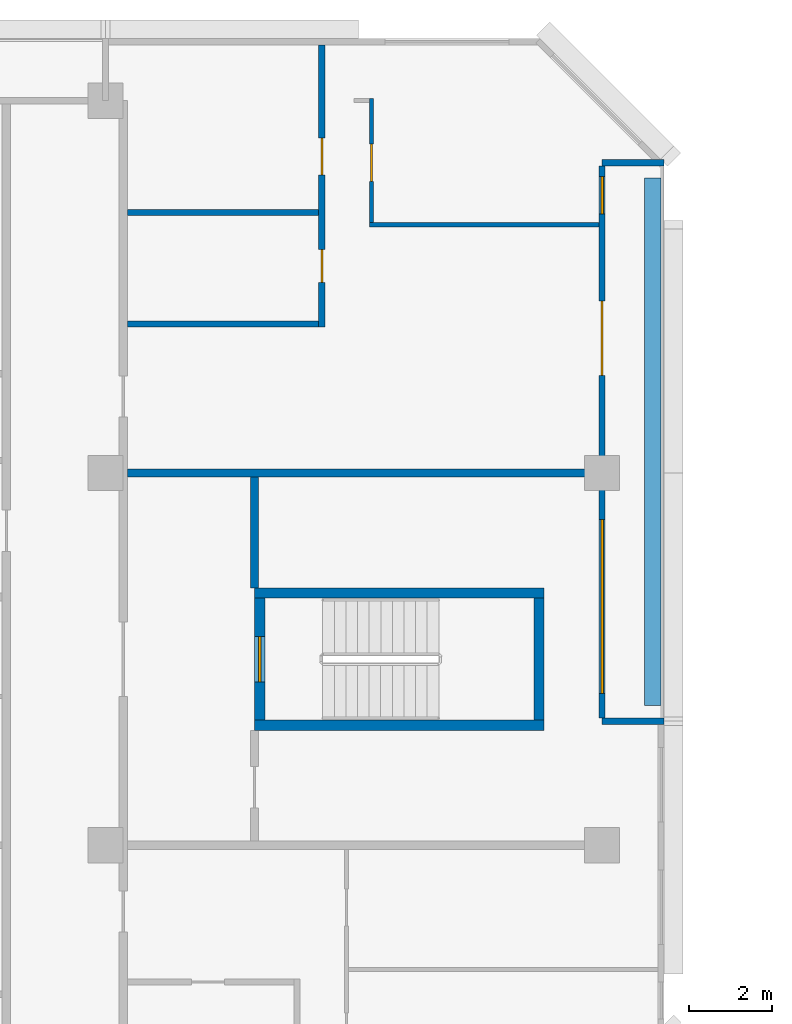
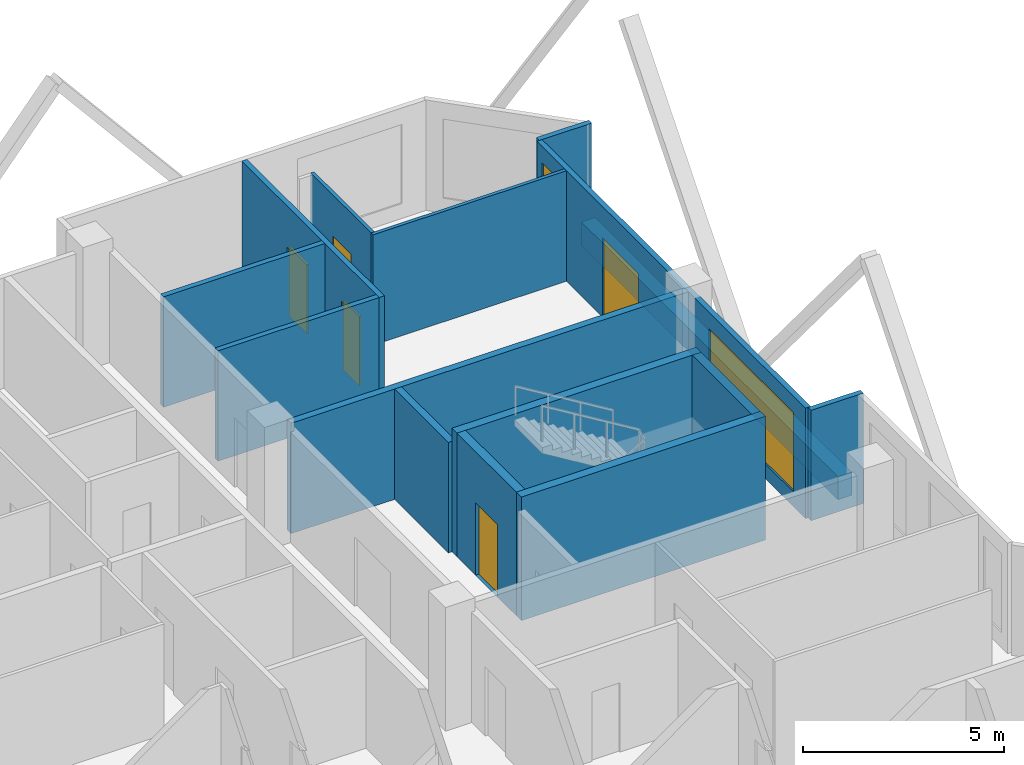
# One storey, part 11 of 16: 15 walls, 5 doors, 2 windows, 7 openings.
"""IFC4 building model written with IfcOpenShell, lengths in metres."""

from ifc_helpers import new_model, si_unit, direction, frame, frame_2d, origin, place, context, subcontext, project, spatial, rectangle, extrude, material, layer, layer_set, type_object, element, fill, save


model = new_model("IFC4")

# Units and contexts
model_context = context("Model", 3, precision=1e-05, world=origin(), true_north=direction((0.0, 1.0)))
body_context = subcontext(model_context, "Body", "Model", "MODEL_VIEW")
ifc_project = project(units=[si_unit("LENGTHUNIT", "METRE"), si_unit("AREAUNIT", "SQUARE_METRE"), si_unit("VOLUMEUNIT", "CUBIC_METRE"), si_unit("PLANEANGLEUNIT", "RADIAN"), si_unit("MASSUNIT", "GRAM", prefix="KILO")], contexts=[model_context])

# Site, building, storey
site_placement = place(None, origin())
site = spatial("IfcSite", under=ifc_project, at=site_placement, CompositionType="ELEMENT")
building_placement = place(site_placement, origin())
building = spatial("IfcBuilding", under=site, at=building_placement, Name="Chenar Terraces", CompositionType="ELEMENT")
storey_placement = place(building_placement, frame((0.0, 0.0, 219.14990234375)))
storey = spatial("IfcBuildingStorey", under=building, at=storey_placement, Name="L51", CompositionType="ELEMENT", Elevation=219.14990234375)

# Walls
ifc_material_1 = material(Name="Concrete C60/75", Category="concrete")
ifc_layer_1 = layer(ifc_material_1, 0.25)
ifc_layer_set_1 = layer_set([ifc_layer_1], Name="Concrete C60/75")
wall_type_1 = type_object("IfcWallType", Name="Core wall 250 Concrete C60/75", PredefinedType="SHEAR", material=ifc_layer_set_1)
for number, where, z_axis, x_axis, name in (
    (1, (15.60009765625, 47.89990234375, 0.0), (0.0, 0.0, 1.0), (1.0, 0.0, 0.0), "Core wall ST4_S L51"),
    (2, (15.60009765625, 51.10009765625, 0.0), (0.0, 0.0, 1.0), (1.0, 0.0, 0.0), "Core wall ST4_N L51"),
):
    element("IfcWall", number, at=place(storey_placement, frame(where, z_axis=z_axis, x_axis=x_axis)), inside=storey, type_object=wall_type_1, Name=name, PredefinedType="SHEAR", context=body_context, shape_type="SweptSolid", body=[
        extrude(rectangle(XDim=7.0, YDim=0.25, at=frame_2d((3.5, 0.0))), origin(), (0.0, 0.0, 1.0), 3.75),
    ])

# Wall, opening, door
wall_1_placement = place(storey_placement, frame((15.72509765625, 48.02490234375, 0.0), z_axis=(0.0, 0.0, 1.0), x_axis=(0.0, 1.0, 0.0)))
wall_1 = element("IfcWall", 3, at=wall_1_placement, inside=storey, type_object=wall_type_1, Name="Core wall ST4_W L51", PredefinedType="SHEAR", context=body_context, shape_type="SweptSolid", body=[
    extrude(rectangle(XDim=2.9501953125, YDim=0.25, at=frame_2d((1.47509765625, 0.0))), origin(), (0.0, 0.0, 1.0), 3.75),
])
opening_1_placement = place(wall_1_placement, frame((0.925048828125, 0.0, 0.0)))
opening_1 = element("IfcOpeningElement", 4, at=opening_1_placement, cuts=wall_1, Name="Opening DL51-C9", PredefinedType="OPENING", context=body_context, shape_type="SweptSolid", body=[
    extrude(rectangle(XDim=1.10009765625, YDim=2.199951171875, at=frame_2d((0.550048828125, 1.10009765625))), frame((0.0, 0.135009765625, 0.0), z_axis=(0.0, -1.0, 0.0), x_axis=(1.0, 0.0, 0.0)), (0.0, 0.0, 1.0), 0.27001953125),
])
ifc_material_2 = material(Name="Steel-framed fire-resisting door leaf", Category="steel")
door_type_1 = type_object("IfcDoorType", Name="Stair fire door FD60 1100 x 2200", OperationType="SINGLE_SWING_LEFT", PredefinedType="DOOR", material=ifc_material_2)
door_1_placement = place(opening_1_placement, frame((1.10009765625, 0.0, 0.0), z_axis=(0.0, 0.0, 1.0), x_axis=(-1.0, 0.0, 0.0)))
door_1 = element("IfcDoor", 5, at=door_1_placement, inside=storey, type_object=door_type_1, Name="Stair door DL51-C9", OperationType="SINGLE_SWING_RIGHT", OverallHeight=2.199951171875, OverallWidth=1.10009765625, PredefinedType="DOOR", context=body_context, shape_type="SweptSolid", body=[
    extrude(rectangle(XDim=1.10009765625, YDim=2.199951171875, at=frame_2d((0.550048828125, 1.10009765625))), frame((0.0, 0.02490234375, 0.0), z_axis=(0.0, -1.0, 0.0), x_axis=(1.0, 0.0, 0.0)), (0.0, 0.0, 1.0), 0.050048828125),
])
fill(opening_1, door_1)

# Walls
wall_2_placement = place(storey_placement, frame((22.47509765625, 48.02490234375, 0.0), z_axis=(0.0, 0.0, 1.0), x_axis=(0.0, 1.0, 0.0)))
element("IfcWall", 6, at=wall_2_placement, inside=storey, type_object=wall_type_1, Name="Core wall ST4_E L51", PredefinedType="SHEAR", context=body_context, shape_type="SweptSolid", body=[
    extrude(rectangle(XDim=2.9501953125, YDim=0.25, at=frame_2d((1.47509765625, 0.0))), origin(), (0.0, 0.0, 1.0), 3.75),
])
ifc_material_3 = material(Name="Gypsum board on steel studs with fire boards", Category="steel")
ifc_layer_2 = layer(ifc_material_3, 0.199951171875)
ifc_layer_set_2 = layer_set([ifc_layer_2], Name="Gypsum board on steel studs with fire boards")
wall_type_2 = type_object("IfcWallType", Name="Corridor wall 200", PredefinedType="PARTITIONING", material=ifc_layer_set_2)
wall_3_placement = place(storey_placement, frame((15.60009765625, 51.22509765625, 0.0), z_axis=(0.0, 0.0, 1.0), x_axis=(0.0, 1.0, 0.0)))
element("IfcWall", 7, at=wall_3_placement, inside=storey, type_object=wall_type_2, Name="Partition L51-048", PredefinedType="PARTITIONING", context=body_context, shape_type="SweptSolid", body=[
    extrude(rectangle(XDim=2.6748046875, YDim=0.199951171875, at=frame_2d((1.33740234375, 0.0))), origin(), (0.0, 0.0, 1.0), 3.35009765625),
])

# Wall, openings, windows, door
ifc_material_4 = material(Name="Aluminium framed glazing", Category="aluminium")
ifc_layer_3 = layer(ifc_material_4, 0.14990234375)
ifc_layer_set_3 = layer_set([ifc_layer_3], Name="Aluminium framed glazing")
wall_type_3 = type_object("IfcWallType", Name="Glazed loggia back wall 150", PredefinedType="SOLIDWALL", material=ifc_layer_set_3)
wall_4_placement = place(storey_placement, frame((24.0, 48.074951171875, 0.0), z_axis=(0.0, 0.0, 1.0), x_axis=(0.0, 1.0, 0.0)))
wall_4 = element("IfcWall", 8, at=wall_4_placement, inside=storey, type_object=wall_type_3, Name="Glazed loggia back wall", PredefinedType="SOLIDWALL", context=body_context, shape_type="SweptSolid", body=[
    extrude(rectangle(XDim=13.35009765625, YDim=0.14990234375, at=frame_2d((6.675048828125, 0.0))), origin(), (0.0, 0.0, 1.0), 3.35009765625),
])
opening_2_placement = place(wall_4_placement, frame((0.60009765625, 0.0, 0.449951171875)))
opening_2 = element("IfcOpeningElement", 9, at=opening_2_placement, cuts=wall_4, Name="Opening W420x240", PredefinedType="OPENING", context=body_context, shape_type="SweptSolid", body=[
    extrude(rectangle(XDim=4.199951171875, YDim=2.39990234375, at=frame_2d((2.10009765625, 1.199951171875))), frame((0.0, 0.0849609375, 0.0), z_axis=(0.0, -1.0, 0.0), x_axis=(1.0, 0.0, 0.0)), (0.0, 0.0, 1.0), 0.169921875),
])
opening_3_placement = place(wall_4_placement, frame((8.28759765625, 0.0, 0.0)))
opening_3 = element("IfcOpeningElement", 10, at=opening_3_placement, cuts=wall_4, Name="Opening DL51-G2", PredefinedType="OPENING", context=body_context, shape_type="SweptSolid", body=[
    extrude(rectangle(XDim=1.800048828125, YDim=2.39990234375, at=frame_2d((0.89990234375, 1.199951171875))), frame((0.0, 0.0849609375, 0.0), z_axis=(0.0, -1.0, 0.0), x_axis=(1.0, 0.0, 0.0)), (0.0, 0.0, 1.0), 0.169921875),
])
opening_4_placement = place(wall_4_placement, frame((12.1875, 0.0, 0.449951171875)))
opening_4 = element("IfcOpeningElement", 11, at=opening_4_placement, cuts=wall_4, Name="Opening W90x240", PredefinedType="OPENING", context=body_context, shape_type="SweptSolid", body=[
    extrude(rectangle(XDim=0.89990234375, YDim=2.39990234375, at=frame_2d((0.449951171875, 1.199951171875))), frame((0.0, 0.0849609375, 0.0), z_axis=(0.0, -1.0, 0.0), x_axis=(1.0, 0.0, 0.0)), (0.0, 0.0, 1.0), 0.169921875),
])
ifc_material_5 = material(Name="Low emissivity double glazing, aluminium frame", Category="aluminium")
window_type_1 = type_object("IfcWindowType", Name="Fixed light 4200 x 2400", PartitioningType="SINGLE_PANEL", PredefinedType="WINDOW", material=ifc_material_5)
window_1_placement = place(opening_2_placement, origin())
window_1 = element("IfcWindow", 12, at=window_1_placement, inside=storey, type_object=window_type_1, Name="Window", OverallHeight=2.39990234375, OverallWidth=4.199951171875, PartitioningType="SINGLE_PANEL", PredefinedType="WINDOW", context=body_context, shape_type="SweptSolid", body=[
    extrude(rectangle(XDim=4.199951171875, YDim=2.39990234375, at=frame_2d((2.10009765625, 1.199951171875))), frame((0.0, 0.030029296875, 0.0), z_axis=(0.0, -1.0, 0.0), x_axis=(1.0, 0.0, 0.0)), (0.0, 0.0, 1.0), 0.06005859375),
])
fill(opening_2, window_1)
ifc_material_6 = material(Name="Low emissivity double glazing, aluminium frame", Category="aluminium")
window_type_2 = type_object("IfcWindowType", Name="Fixed light 900 x 2400", PartitioningType="SINGLE_PANEL", PredefinedType="WINDOW", material=ifc_material_6)
window_2_placement = place(opening_4_placement, origin())
window_2 = element("IfcWindow", 13, at=window_2_placement, inside=storey, type_object=window_type_2, Name="Window", OverallHeight=2.39990234375, OverallWidth=0.89990234375, PartitioningType="SINGLE_PANEL", PredefinedType="WINDOW", context=body_context, shape_type="SweptSolid", body=[
    extrude(rectangle(XDim=0.89990234375, YDim=2.39990234375, at=frame_2d((0.449951171875, 1.199951171875))), frame((0.0, 0.030029296875, 0.0), z_axis=(0.0, -1.0, 0.0), x_axis=(1.0, 0.0, 0.0)), (0.0, 0.0, 1.0), 0.06005859375),
])
fill(opening_4, window_2)
ifc_material_7 = material(Name="Low emissivity double glazing, aluminium frame", Category="aluminium")
door_type_2 = type_object("IfcDoorType", Name="Loggia glazed double door 1800 x 2400", OperationType="DOUBLE_DOOR_SINGLE_SWING", PredefinedType="DOOR", material=ifc_material_7)
door_2_placement = place(opening_3_placement, frame((1.800048828125, 0.0, 0.0), z_axis=(0.0, 0.0, 1.0), x_axis=(-1.0, 0.0, 0.0)))
door_2 = element("IfcDoor", 14, at=door_2_placement, inside=storey, type_object=door_type_2, Name="Loggia glazed door", OperationType="DOUBLE_DOOR_SINGLE_SWING", OverallHeight=2.39990234375, OverallWidth=1.800048828125, PredefinedType="DOOR", context=body_context, shape_type="SweptSolid", body=[
    extrude(rectangle(XDim=1.800048828125, YDim=2.39990234375, at=frame_2d((0.89990234375, 1.199951171875))), frame((0.0, 0.02490234375, 0.0), z_axis=(0.0, -1.0, 0.0), x_axis=(1.0, 0.0, 0.0)), (0.0, 0.0, 1.0), 0.050048828125),
])
fill(opening_3, door_2)

# Wall
ifc_material_8 = material(Name="Gypsum board on steel studs", Category="steel")
ifc_layer_4 = layer(ifc_material_8, 0.10009765625)
ifc_layer_set_4 = layer_set([ifc_layer_4], Name="Gypsum board on steel studs")
wall_type_4 = type_object("IfcWallType", Name="Gypsum partition 100", PredefinedType="PARTITIONING", material=ifc_layer_set_4)
wall_5_placement = place(storey_placement, frame((18.375, 60.0, 0.0), z_axis=(0.0, 0.0, 1.0), x_axis=(1.0, 0.0, 0.0)))
element("IfcWall", 15, at=wall_5_placement, inside=storey, type_object=wall_type_4, Name="Partition L51-056", PredefinedType="PARTITIONING", context=body_context, shape_type="SweptSolid", body=[
    extrude(rectangle(XDim=5.551025390625, YDim=0.10009765625, at=frame_2d((2.775390625, 0.0))), origin(), (0.0, 0.0, 1.0), 3.35009765625),
])

# Wall, opening, door
wall_6_placement = place(storey_placement, frame((18.425048828125, 60.050048828125, 0.0), z_axis=(0.0, 0.0, 1.0), x_axis=(0.0, 1.0, 0.0)))
wall_6 = element("IfcWall", 16, at=wall_6_placement, inside=storey, type_object=wall_type_4, Name="Partition L51-057", PredefinedType="PARTITIONING", context=body_context, shape_type="SweptSolid", body=[
    extrude(rectangle(XDim=3.0, YDim=0.10009765625, at=frame_2d((1.5, 0.0))), origin(), (0.0, 0.0, 1.0), 3.35009765625),
])
opening_5_placement = place(wall_6_placement, frame((1.0, 0.0, 0.0)))
opening_5 = element("IfcOpeningElement", 17, at=opening_5_placement, cuts=wall_6, Name="Opening DL51-20", PredefinedType="OPENING", context=body_context, shape_type="SweptSolid", body=[
    extrude(rectangle(XDim=0.89990234375, YDim=2.10009765625, at=frame_2d((0.449951171875, 1.050048828125))), frame((0.0, 0.06005859375, 0.0), z_axis=(0.0, -1.0, 0.0), x_axis=(1.0, 0.0, 0.0)), (0.0, 0.0, 1.0), 0.1201171875),
])
ifc_material_9 = material(Name="Veneered timber door leaf", Category="wood")
door_type_3 = type_object("IfcDoorType", Name="Door 900 x 2100", OperationType="SINGLE_SWING_LEFT", PredefinedType="DOOR", material=ifc_material_9)
door_3_placement = place(opening_5_placement, frame((0.89990234375, 0.0, 0.0), z_axis=(0.0, 0.0, 1.0), x_axis=(-1.0, 0.0, 0.0)))
door_3 = element("IfcDoor", 18, at=door_3_placement, inside=storey, type_object=door_type_3, Name="Door DL51-20", OperationType="SINGLE_SWING_RIGHT", OverallHeight=2.10009765625, OverallWidth=0.89990234375, PredefinedType="DOOR", context=body_context, shape_type="SweptSolid", body=[
    extrude(rectangle(XDim=0.89990234375, YDim=2.10009765625, at=frame_2d((0.449951171875, 1.050048828125))), frame((0.0, 0.02490234375, 0.0), z_axis=(0.0, -1.0, 0.0), x_axis=(1.0, 0.0, 0.0)), (0.0, 0.0, 1.0), 0.050048828125),
])
fill(opening_5, door_3)

# Walls
ifc_material_10 = material(Name="Terracotta cladding on insulated backing", Category="masonry")
ifc_layer_5 = layer(ifc_material_10, 0.14990234375)
ifc_layer_set_5 = layer_set([ifc_layer_5], Name="Terracotta cladding on insulated backing")
wall_type_5 = type_object("IfcWallType", Name="Loggia return wall 150", PredefinedType="SOLIDWALL", material=ifc_layer_set_5)
for number, where, z_axis, x_axis, name in (
    (19, (25.5, 48.0, 0.0), (0.0, 0.0, 1.0), (-1.0, 0.0, 0.0), "Loggia return wall"),
    (20, (25.5, 61.5, 0.0), (0.0, 0.0, 1.0), (-1.0, 0.0, 0.0), "Loggia return wall"),
):
    element("IfcWall", number, at=place(storey_placement, frame(where, z_axis=z_axis, x_axis=x_axis)), inside=storey, type_object=wall_type_5, Name=name, PredefinedType="SOLIDWALL", context=body_context, shape_type="SweptSolid", body=[
        extrude(rectangle(XDim=1.5, YDim=0.14990234375, at=frame_2d((0.75, 0.0))), origin(), (0.0, 0.0, 1.0), 3.35009765625),
    ])
ifc_material_11 = material(Name="Twin gypsum board on steel studs with mineral wool", Category="steel")
ifc_layer_6 = layer(ifc_material_11, 0.199951171875)
ifc_layer_set_6 = layer_set([ifc_layer_6], Name="Twin gypsum board on steel studs with mineral wool")
wall_type_6 = type_object("IfcWallType", Name="Unit demising wall 200", PredefinedType="PARTITIONING", material=ifc_layer_set_6)
wall_7_placement = place(storey_placement, frame((12.52490234375, 54.0, 0.0), z_axis=(0.0, 0.0, 1.0), x_axis=(1.0, 0.0, 0.0)))
element("IfcWall", 21, at=wall_7_placement, inside=storey, type_object=wall_type_6, Name="Partition L51-043", PredefinedType="PARTITIONING", context=body_context, shape_type="SweptSolid", body=[
    extrude(rectangle(XDim=11.401123046875, YDim=0.199951171875, at=frame_2d((5.70068359375, 0.0))), origin(), (0.0, 0.0, 1.0), 3.35009765625),
])
ifc_material_12 = material(Name="GRP planter trough")
ifc_layer_7 = layer(ifc_material_12, 0.39990234375)
ifc_layer_set_7 = layer_set([ifc_layer_7], Name="GRP planter trough")
wall_type_7 = type_object("IfcWallType", Name="Vertical greenery planter 400", PredefinedType="SOLIDWALL", material=ifc_layer_set_7)
wall_8_placement = place(storey_placement, frame((25.22900390625, 48.375, 0.0), z_axis=(0.0, 0.0, 1.0), x_axis=(0.0, 1.0, 0.0)))
element("IfcWall", 22, at=wall_8_placement, inside=storey, type_object=wall_type_7, Name="Vertical greenery planter", PredefinedType="SOLIDWALL", context=body_context, shape_type="SweptSolid", body=[
    extrude(rectangle(XDim=12.75, YDim=0.39990234375, at=frame_2d((6.375, 0.0))), origin(), (0.0, 0.0, 1.0), 0.7001953125),
])
ifc_material_13 = material(Name="Moisture-resistant gypsum board on steel studs", Category="steel")
ifc_layer_8 = layer(ifc_material_13, 0.14990234375)
ifc_layer_set_8 = layer_set([ifc_layer_8], Name="Moisture-resistant gypsum board on steel studs")
wall_type_8 = type_object("IfcWallType", Name="Wet-room partition 150", PredefinedType="PARTITIONING", material=ifc_layer_set_8)
for number, where, z_axis, x_axis, name in (
    (23, (12.52490234375, 57.60009765625, 0.0), (0.0, 0.0, 1.0), (1.0, 0.0, 0.0), "Partition L51-044"),
    (24, (12.52490234375, 60.300048828125, 0.0), (0.0, 0.0, 1.0), (1.0, 0.0, 0.0), "Partition L51-045"),
):
    element("IfcWall", number, at=place(storey_placement, frame(where, z_axis=z_axis, x_axis=x_axis)), inside=storey, type_object=wall_type_8, Name=name, PredefinedType="PARTITIONING", context=body_context, shape_type="SweptSolid", body=[
        extrude(rectangle(XDim=4.625, YDim=0.14990234375, at=frame_2d((2.3125, 0.0))), origin(), (0.0, 0.0, 1.0), 3.35009765625),
    ])

# Wall, openings, doors
wall_9_placement = place(storey_placement, frame((17.22509765625, 57.52490234375, 0.0), z_axis=(0.0, 0.0, 1.0), x_axis=(0.0, 1.0, 0.0)))
wall_9 = element("IfcWall", 25, at=wall_9_placement, inside=storey, type_object=wall_type_8, Name="Partition L51-050", PredefinedType="PARTITIONING", context=body_context, shape_type="SweptSolid", body=[
    extrude(rectangle(XDim=6.8251953125, YDim=0.14990234375, at=frame_2d((3.41259765625, 0.0))), origin(), (0.0, 0.0, 1.0), 3.35009765625),
])
opening_6_placement = place(wall_9_placement, frame((1.074951171875, 0.0, 0.0)))
opening_6 = element("IfcOpeningElement", 26, at=opening_6_placement, cuts=wall_9, Name="Opening DL51-19", PredefinedType="OPENING", context=body_context, shape_type="SweptSolid", body=[
    extrude(rectangle(XDim=0.800048828125, YDim=2.10009765625, at=frame_2d((0.39990234375, 1.050048828125))), frame((0.0, 0.0849609375, 0.0), z_axis=(0.0, -1.0, 0.0), x_axis=(1.0, 0.0, 0.0)), (0.0, 0.0, 1.0), 0.169921875),
])
opening_7_placement = place(wall_9_placement, frame((3.675048828125, 0.0, 0.0)))
opening_7 = element("IfcOpeningElement", 27, at=opening_7_placement, cuts=wall_9, Name="Opening DL51-21", PredefinedType="OPENING", context=body_context, shape_type="SweptSolid", body=[
    extrude(rectangle(XDim=0.89990234375, YDim=2.10009765625, at=frame_2d((0.449951171875, 1.050048828125))), frame((0.0, 0.0849609375, 0.0), z_axis=(0.0, -1.0, 0.0), x_axis=(1.0, 0.0, 0.0)), (0.0, 0.0, 1.0), 0.169921875),
])
ifc_material_14 = material(Name="Veneered timber door leaf", Category="wood")
door_type_4 = type_object("IfcDoorType", Name="Door 800 x 2100", OperationType="SINGLE_SWING_LEFT", PredefinedType="DOOR", material=ifc_material_14)
door_4_placement = place(opening_6_placement, origin())
door_4 = element("IfcDoor", 28, at=door_4_placement, inside=storey, type_object=door_type_4, Name="Door DL51-19", OperationType="SINGLE_SWING_RIGHT", OverallHeight=2.10009765625, OverallWidth=0.800048828125, PredefinedType="DOOR", context=body_context, shape_type="SweptSolid", body=[
    extrude(rectangle(XDim=0.800048828125, YDim=2.10009765625, at=frame_2d((0.39990234375, 1.050048828125))), frame((0.0, 0.02490234375, 0.0), z_axis=(0.0, -1.0, 0.0), x_axis=(1.0, 0.0, 0.0)), (0.0, 0.0, 1.0), 0.050048828125),
])
fill(opening_6, door_4)
door_5_placement = place(opening_7_placement, origin())
door_5 = element("IfcDoor", 29, at=door_5_placement, inside=storey, type_object=door_type_3, Name="Door DL51-21", OperationType="SINGLE_SWING_LEFT", OverallHeight=2.10009765625, OverallWidth=0.89990234375, PredefinedType="DOOR", context=body_context, shape_type="SweptSolid", body=[
    extrude(rectangle(XDim=0.89990234375, YDim=2.10009765625, at=frame_2d((0.449951171875, 1.050048828125))), frame((0.0, 0.02490234375, 0.0), z_axis=(0.0, -1.0, 0.0), x_axis=(1.0, 0.0, 0.0)), (0.0, 0.0, 1.0), 0.050048828125),
])
fill(opening_7, door_5)

save(model, "model.ifc")
